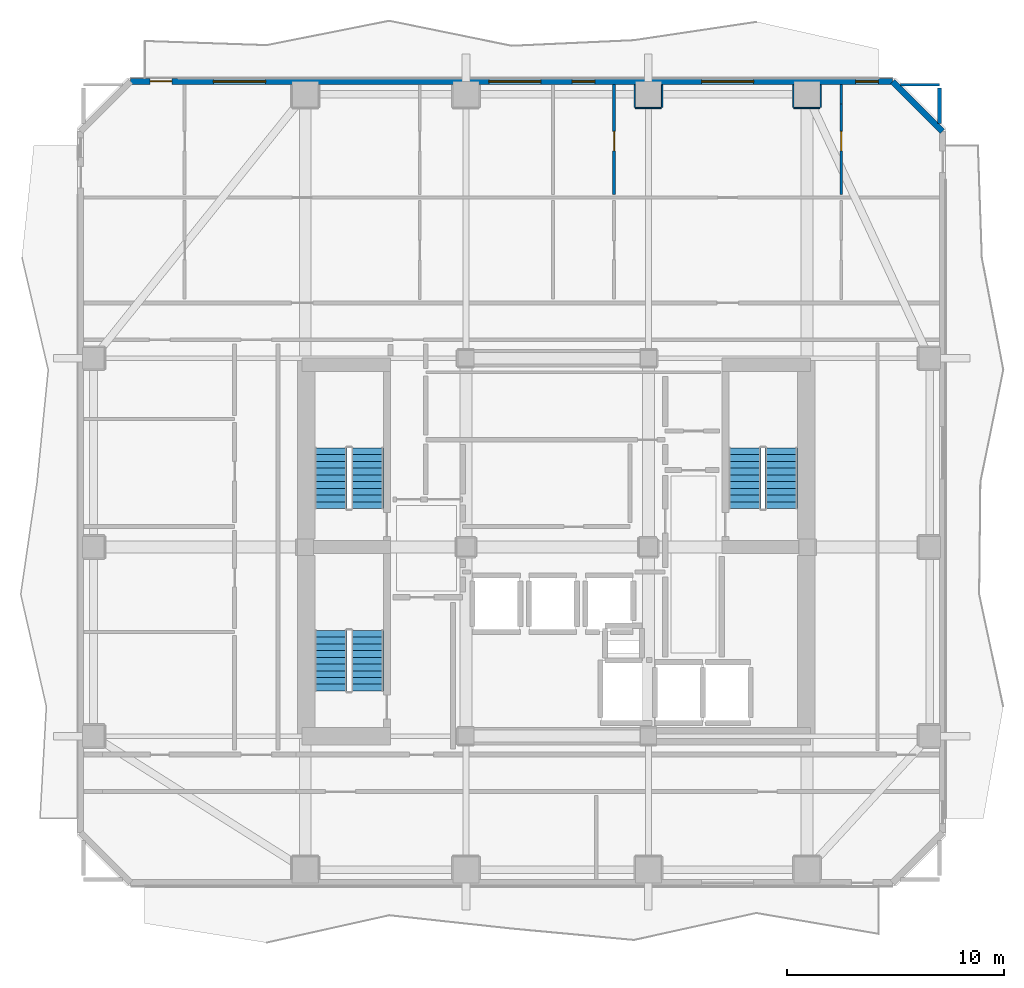
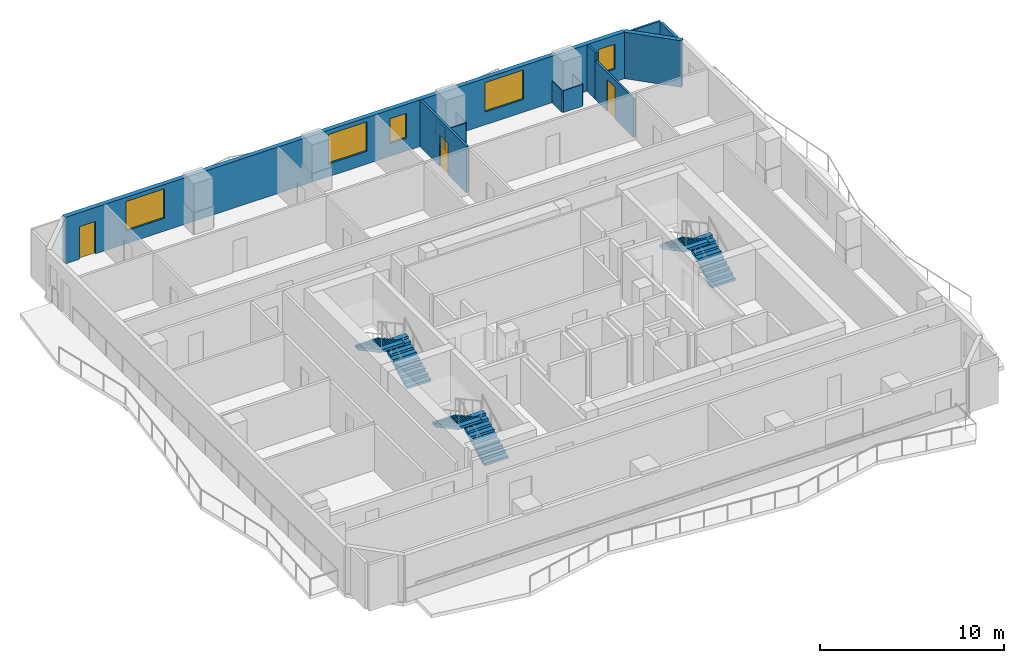
# One storey, part 6 of 10: 13 walls, 6 stair flights, 5 windows, 3 doors, 8 openings, 3 elements without a shape of their own.
"""IFC4 building model written with IfcOpenShell, lengths in metres."""

from ifc_helpers import new_model, si_unit, direction, frame, frame_2d, origin, place, context, subcontext, project, spatial, polyline, rectangle, outline, extrude, material, layer, layer_set, type_object, element, fill, aggregate, save


model = new_model("IFC4")

# Units and contexts
model_context = context("Model", 3, precision=1e-05, world=origin(), true_north=direction((0.0, 1.0)))
body_context = subcontext(model_context, "Body", "Model", "MODEL_VIEW")
ifc_project = project(units=[si_unit("LENGTHUNIT", "METRE"), si_unit("AREAUNIT", "SQUARE_METRE"), si_unit("VOLUMEUNIT", "CUBIC_METRE"), si_unit("PLANEANGLEUNIT", "RADIAN"), si_unit("MASSUNIT", "GRAM", prefix="KILO")], contexts=[model_context])

# Site, building, storey
site_placement = place(None, origin())
site = spatial("IfcSite", under=ifc_project, at=site_placement, CompositionType="ELEMENT")
building_placement = place(site_placement, origin())
building = spatial("IfcBuilding", under=site, at=building_placement, Name="Solanera Arch Residences", CompositionType="ELEMENT")
storey_placement = place(building_placement, frame((0.0, 0.0, 176.8798828125)))
storey = spatial("IfcBuildingStorey", under=building, at=storey_placement, Name="L51", CompositionType="ELEMENT", Elevation=176.8798828125)

# Walls
ifc_material_1 = material(Name="Fire-Rated Gypsum Stud Partition", Category="gypsum")
ifc_layer_1 = layer(ifc_material_1, 0.06005859375)
ifc_layer_set_1 = layer_set([ifc_layer_1], Name="Fire-Rated Gypsum Stud Partition")
wall_type_1 = type_object("IfcWallType", Name="Column Acoustic Furring Wall 60", PredefinedType="PARTITIONING", material=ifc_layer_set_1)
wall_1_placement = place(storey_placement, frame((28.60009765625, 50.91796875, 0.0), z_axis=(0.0, 0.0, 1.0), x_axis=(1.0, 0.0, 0.0)))
element("IfcWall", 1, at=wall_1_placement, inside=storey, type_object=wall_type_1, Name="L51 Column Furring 14S", PredefinedType="PARTITIONING", context=body_context, shape_type="SweptSolid", body=[
    extrude(rectangle(XDim=1.199951171875, YDim=0.06005859375, at=frame_2d((0.60009765625, 0.0))), origin(), (0.0, 0.0, 1.0), 1.4501953125),
])
for number, where, z_axis, x_axis, name in (
    (2, (28.568115234375, 50.949951171875, 0.0), (0.0, 0.0, 1.0), (0.0, 1.0, 0.0), "L51 Column Furring 14W"),
    (3, (29.83203125, 50.949951171875, 0.0), (0.0, 0.0, 1.0), (0.0, 1.0, 0.0), "L51 Column Furring 14E"),
):
    element("IfcWall", number, at=place(storey_placement, frame(where, z_axis=z_axis, x_axis=x_axis)), inside=storey, type_object=wall_type_1, Name=name, PredefinedType="PARTITIONING", context=body_context, shape_type="SweptSolid", body=[
        extrude(rectangle(XDim=1.0400390625, YDim=0.06005859375, at=frame_2d((0.52001953125, 0.0))), origin(), (0.0, 0.0, 1.0), 1.4501953125),
    ])
wall_2_placement = place(storey_placement, frame((35.89990234375, 50.91796875, 0.0), z_axis=(0.0, 0.0, 1.0), x_axis=(1.0, 0.0, 0.0)))
element("IfcWall", 4, at=wall_2_placement, inside=storey, type_object=wall_type_1, Name="L51 Column Furring 16S", PredefinedType="PARTITIONING", context=body_context, shape_type="SweptSolid", body=[
    extrude(rectangle(XDim=1.2001953125, YDim=0.06005859375, at=frame_2d((0.60009765625, 0.0))), origin(), (0.0, 0.0, 1.0), 1.4501953125),
])
for number, where, z_axis, x_axis, name in (
    (5, (35.867919921875, 50.949951171875, 0.0), (0.0, 0.0, 1.0), (0.0, 1.0, 0.0), "L51 Column Furring 16W"),
    (6, (37.132080078125, 50.949951171875, 0.0), (0.0, 0.0, 1.0), (0.0, 1.0, 0.0), "L51 Column Furring 16E"),
):
    element("IfcWall", number, at=place(storey_placement, frame(where, z_axis=z_axis, x_axis=x_axis)), inside=storey, type_object=wall_type_1, Name=name, PredefinedType="PARTITIONING", context=body_context, shape_type="SweptSolid", body=[
        extrude(rectangle(XDim=1.0400390625, YDim=0.06005859375, at=frame_2d((0.52001953125, 0.0))), origin(), (0.0, 0.0, 1.0), 1.4501953125),
    ])
ifc_material_2 = material(Name="Autoclaved Aerated Concrete Blockwork", Category="masonry")
ifc_layer_2 = layer(ifc_material_2, 0.179931640625)
ifc_layer_set_2 = layer_set([ifc_layer_2], Name="Autoclaved Aerated Concrete Blockwork")
wall_type_2 = type_object("IfcWallType", Name="Corridor Fire Partition 180", PredefinedType="PARTITIONING", material=ifc_layer_set_2)
wall_3_placement = place(storey_placement, frame((42.60009765625, 50.205078125, 0.0), z_axis=(0.0, 0.0, 1.0), x_axis=(0.0, 1.0, 0.0)))
element("IfcWall", 7, at=wall_3_placement, inside=storey, type_object=wall_type_2, Name="L51 Interior Partition V12 2", PredefinedType="PARTITIONING", context=body_context, shape_type="SweptSolid", body=[
    extrude(rectangle(XDim=1.636962890625, YDim=0.179931640625, at=frame_2d((0.818359375, 0.0))), origin(), (0.0, 0.0, 1.0), 3.080078125),
])

# Wall, openings, door, windows
ifc_material_3 = material(Name="Precast Concrete C35/45", Category="concrete")
ifc_layer_3 = layer(ifc_material_3, 0.280029296875)
ifc_layer_set_3 = layer_set([ifc_layer_3], Name="Precast Concrete C35/45")
wall_type_3 = type_object("IfcWallType", Name="Exterior Wall Precast Masonry-Frame 280", PredefinedType="STANDARD", material=ifc_layer_set_3)
wall_4_placement = place(storey_placement, frame((5.35498046875, 52.14501953125, 0.0), z_axis=(0.0, 0.0, 1.0), x_axis=(1.0, 0.0, 0.0)))
wall_4 = element("IfcWall", 8, at=wall_4_placement, inside=storey, type_object=wall_type_3, Name="L51 Tower Exterior Precast Masonry-Frame Wall N", PredefinedType="STANDARD", context=body_context, shape_type="SweptSolid", body=[
    extrude(rectangle(XDim=35.090087890625, YDim=0.280029296875, at=frame_2d((17.544921875, 0.0))), origin(), (0.0, 0.0, 1.0), 3.080078125),
])
opening_1_placement = place(wall_4_placement, frame((0.904052734375, 0.0, 0.0)))
opening_1 = element("IfcOpeningElement", 9, at=opening_1_placement, cuts=wall_4, Name="Opening DB-01", PredefinedType="OPENING", context=body_context, shape_type="SweptSolid", body=[
    extrude(rectangle(XDim=1.0, YDim=2.14990234375, at=frame_2d((0.5, 1.074951171875))), frame((0.0, 0.14990234375, 0.0), z_axis=(0.0, -1.0, 0.0), x_axis=(1.0, 0.0, 0.0)), (0.0, 0.0, 1.0), 0.3),
])
opening_2_placement = place(wall_4_placement, frame((3.81689453125, 0.0, 0.85009765625)))
opening_2 = element("IfcOpeningElement", 10, at=opening_2_placement, cuts=wall_4, Name="Opening W-05", PredefinedType="OPENING", context=body_context, shape_type="SweptSolid", body=[
    extrude(rectangle(XDim=2.39990234375, YDim=1.949951171875, at=frame_2d((1.199951171875, 0.97509765625))), frame((0.0, 0.14990234375, 0.0), z_axis=(0.0, -1.0, 0.0), x_axis=(1.0, 0.0, 0.0)), (0.0, 0.0, 1.0), 0.3),
])
opening_3_placement = place(wall_4_placement, frame((16.4951171875, 0.0, 0.85009765625)))
opening_3 = element("IfcOpeningElement", 11, at=opening_3_placement, cuts=wall_4, Name="Opening W-05", PredefinedType="OPENING", context=body_context, shape_type="SweptSolid", body=[
    extrude(rectangle(XDim=2.39990234375, YDim=1.949951171875, at=frame_2d((1.199951171875, 0.97509765625))), frame((0.0, 0.14990234375, 0.0), z_axis=(0.0, -1.0, 0.0), x_axis=(1.0, 0.0, 0.0)), (0.0, 0.0, 1.0), 0.3),
])
opening_4_placement = place(wall_4_placement, frame((26.294921875, 0.0, 0.85009765625)))
opening_4 = element("IfcOpeningElement", 12, at=opening_4_placement, cuts=wall_4, Name="Opening W-05", PredefinedType="OPENING", context=body_context, shape_type="SweptSolid", body=[
    extrude(rectangle(XDim=2.39990234375, YDim=1.949951171875, at=frame_2d((1.199951171875, 0.97509765625))), frame((0.0, 0.14990234375, 0.0), z_axis=(0.0, -1.0, 0.0), x_axis=(1.0, 0.0, 0.0)), (0.0, 0.0, 1.0), 0.3),
])
opening_5_placement = place(wall_4_placement, frame((20.330078125, 0.0, 0.85009765625)))
opening_5 = element("IfcOpeningElement", 13, at=opening_5_placement, cuts=wall_4, Name="Opening W-07", PredefinedType="OPENING", context=body_context, shape_type="SweptSolid", body=[
    extrude(rectangle(XDim=1.050048828125, YDim=1.64990234375, at=frame_2d((0.52490234375, 0.824951171875))), frame((0.0, 0.14990234375, 0.0), z_axis=(0.0, -1.0, 0.0), x_axis=(1.0, 0.0, 0.0)), (0.0, 0.0, 1.0), 0.3),
])
opening_6_placement = place(wall_4_placement, frame((33.386962890625, 0.0, 0.85009765625)))
opening_6 = element("IfcOpeningElement", 14, at=opening_6_placement, cuts=wall_4, Name="Opening W-07", PredefinedType="OPENING", context=body_context, shape_type="SweptSolid", body=[
    extrude(rectangle(XDim=1.050048828125, YDim=1.64990234375, at=frame_2d((0.52490234375, 0.824951171875))), frame((0.0, 0.14990234375, 0.0), z_axis=(0.0, -1.0, 0.0), x_axis=(1.0, 0.0, 0.0)), (0.0, 0.0, 1.0), 0.3),
])
ifc_material_4 = material(Name="Anodised Aluminium Alloy 6063-T6", Category="aluminium")
door_type_1 = type_object("IfcDoorType", Name="Glazed Balcony Swing Door DB-01", OperationType="NOTDEFINED", PredefinedType="DOOR", material=ifc_material_4)
door_1_placement = place(opening_1_placement, origin())
door_1 = element("IfcDoor", 15, at=door_1_placement, inside=storey, type_object=door_type_1, Name="DR-L51-OUT-02", OperationType="SINGLE_SWING_RIGHT", OverallHeight=2.14990234375, OverallWidth=1.0, PredefinedType="DOOR", context=body_context, shape_type="SweptSolid", body=[
    extrude(rectangle(XDim=1.0, YDim=2.14990234375, at=frame_2d((0.5, 1.074951171875))), frame((0.0, 0.02490234375, 0.0), z_axis=(0.0, -1.0, 0.0), x_axis=(1.0, 0.0, 0.0)), (0.0, 0.0, 1.0), 0.050048828125),
])
fill(opening_1, door_1)
ifc_material_5 = material(Name="Double Glazed Low-E Laminated Glass", Category="glass")
window_type_1 = type_object("IfcWindowType", Name="Punched Window W-05", PartitioningType="TRIPLE_PANEL_VERTICAL", PredefinedType="WINDOW", material=ifc_material_5)
window_1_placement = place(opening_2_placement, origin())
window_1 = element("IfcWindow", 16, at=window_1_placement, inside=storey, type_object=window_type_1, Name="L51 5101-LIV Punched Window", OverallHeight=1.949951171875, OverallWidth=2.39990234375, PartitioningType="SINGLE_PANEL", PredefinedType="WINDOW", context=body_context, shape_type="SweptSolid", body=[
    extrude(rectangle(XDim=2.39990234375, YDim=1.949951171875, at=frame_2d((1.199951171875, 0.97509765625))), frame((0.0, 0.030029296875, 0.0), z_axis=(0.0, -1.0, 0.0), x_axis=(1.0, 0.0, 0.0)), (0.0, 0.0, 1.0), 0.06005859375),
])
fill(opening_2, window_1)
window_2_placement = place(opening_3_placement, origin())
window_2 = element("IfcWindow", 17, at=window_2_placement, inside=storey, type_object=window_type_1, Name="L51 5101-BR2 Punched Window", OverallHeight=1.949951171875, OverallWidth=2.39990234375, PartitioningType="SINGLE_PANEL", PredefinedType="WINDOW", context=body_context, shape_type="SweptSolid", body=[
    extrude(rectangle(XDim=2.39990234375, YDim=1.949951171875, at=frame_2d((1.199951171875, 0.97509765625))), frame((0.0, 0.030029296875, 0.0), z_axis=(0.0, -1.0, 0.0), x_axis=(1.0, 0.0, 0.0)), (0.0, 0.0, 1.0), 0.06005859375),
])
fill(opening_3, window_2)
window_3_placement = place(opening_4_placement, origin())
window_3 = element("IfcWindow", 18, at=window_3_placement, inside=storey, type_object=window_type_1, Name="L51 5102-LIV Punched Window", OverallHeight=1.949951171875, OverallWidth=2.39990234375, PartitioningType="SINGLE_PANEL", PredefinedType="WINDOW", context=body_context, shape_type="SweptSolid", body=[
    extrude(rectangle(XDim=2.39990234375, YDim=1.949951171875, at=frame_2d((1.199951171875, 0.97509765625))), frame((0.0, 0.030029296875, 0.0), z_axis=(0.0, -1.0, 0.0), x_axis=(1.0, 0.0, 0.0)), (0.0, 0.0, 1.0), 0.06005859375),
])
fill(opening_4, window_3)
ifc_material_6 = material(Name="Double Glazed Low-E Laminated Glass", Category="glass")
window_type_2 = type_object("IfcWindowType", Name="Punched Window W-07", PartitioningType="SINGLE_PANEL", PredefinedType="WINDOW", material=ifc_material_6)
window_4_placement = place(opening_5_placement, origin())
window_4 = element("IfcWindow", 19, at=window_4_placement, inside=storey, type_object=window_type_2, Name="L51 5102-BR1 Punched Window", OverallHeight=1.64990234375, OverallWidth=1.050048828125, PartitioningType="SINGLE_PANEL", PredefinedType="WINDOW", context=body_context, shape_type="SweptSolid", body=[
    extrude(rectangle(XDim=1.050048828125, YDim=1.64990234375, at=frame_2d((0.52490234375, 0.824951171875))), frame((0.0, 0.030029296875, 0.0), z_axis=(0.0, -1.0, 0.0), x_axis=(1.0, 0.0, 0.0)), (0.0, 0.0, 1.0), 0.06005859375),
])
fill(opening_5, window_4)
window_5_placement = place(opening_6_placement, origin())
window_5 = element("IfcWindow", 20, at=window_5_placement, inside=storey, type_object=window_type_2, Name="L51 5102-BR2 Punched Window", OverallHeight=1.64990234375, OverallWidth=1.050048828125, PartitioningType="SINGLE_PANEL", PredefinedType="WINDOW", context=body_context, shape_type="SweptSolid", body=[
    extrude(rectangle(XDim=1.050048828125, YDim=1.64990234375, at=frame_2d((0.52490234375, 0.824951171875))), frame((0.0, 0.030029296875, 0.0), z_axis=(0.0, -1.0, 0.0), x_axis=(1.0, 0.0, 0.0)), (0.0, 0.0, 1.0), 0.06005859375),
])
fill(opening_6, window_5)

# Walls
wall_5_placement = place(storey_placement, frame((40.445068359375, 52.14501953125, 0.0), z_axis=(0.0, 0.0, 1.0), x_axis=(0.707106781187, -0.707106781187, 0.0)))
element("IfcWall", 21, at=wall_5_placement, inside=storey, type_object=wall_type_3, Name="L51 Tower Exterior Precast Masonry-Frame Wall CH3", PredefinedType="STANDARD", context=body_context, shape_type="SweptSolid", body=[
    extrude(rectangle(XDim=3.252685546875, YDim=0.280029296875, at=frame_2d((1.62646484375, 0.0))), origin(), (0.0, 0.0, 1.0), 3.080078125),
])
ifc_material_7 = material(Name="Fire-Rated Gypsum Stud Partition", Category="gypsum")
ifc_layer_4 = layer(ifc_material_7, 0.1201171875)
ifc_layer_set_4 = layer_set([ifc_layer_4], Name="Fire-Rated Gypsum Stud Partition")
wall_type_4 = type_object("IfcWallType", Name="Unit Drywall Partition 120", PredefinedType="PARTITIONING", material=ifc_layer_set_4)
wall_6_placement = place(storey_placement, frame((40.804931640625, 52.0, 0.0), z_axis=(0.0, 0.0, 1.0), x_axis=(1.0, 0.0, 0.0)))
element("IfcWall", 22, at=wall_6_placement, inside=storey, type_object=wall_type_4, Name="L51 Interior Partition H19 2", PredefinedType="PARTITIONING", context=body_context, shape_type="SweptSolid", body=[
    extrude(rectangle(XDim=1.795166015625, YDim=0.1201171875, at=frame_2d((0.8974609375, 0.0))), origin(), (0.0, 0.0, 1.0), 3.080078125),
])

# Wall, opening, door
wall_7_placement = place(storey_placement, frame((38.080078125, 46.93798828125, 0.0), z_axis=(0.0, 0.0, 1.0), x_axis=(0.0, 1.0, 0.0)))
wall_7 = element("IfcWall", 23, at=wall_7_placement, inside=storey, type_object=wall_type_4, Name="L51 Interior Partition V17 2", PredefinedType="PARTITIONING", context=body_context, shape_type="SweptSolid", body=[
    extrude(rectangle(XDim=4.162109375, YDim=0.1201171875, at=frame_2d((2.0810546875, 0.0))), origin(), (0.0, 0.0, 1.0), 2.565185546875),
])
opening_7_placement = place(wall_7_placement, frame((2.011962890625, 0.0, 0.0)))
opening_7 = element("IfcOpeningElement", 24, at=opening_7_placement, cuts=wall_7, Name="Opening DI-03", PredefinedType="OPENING", context=body_context, shape_type="SweptSolid", body=[
    extrude(rectangle(XDim=0.89990234375, YDim=2.10009765625, at=frame_2d((0.449951171875, 1.050048828125))), frame((0.0, 0.070068359375, 0.0), z_axis=(0.0, -1.0, 0.0), x_axis=(1.0, 0.0, 0.0)), (0.0, 0.0, 1.0), 0.1401),
])
ifc_material_8 = material(Name="Fire-Rated Architectural Hardwood", Category="wood")
door_type_2 = type_object("IfcDoorType", Name="Bedroom Swing Door DI-03", OperationType="NOTDEFINED", PredefinedType="DOOR", material=ifc_material_8)
door_2_placement = place(opening_7_placement, origin())
door_2 = element("IfcDoor", 25, at=door_2_placement, inside=storey, type_object=door_type_2, Name="DR-L51-IN-034", OperationType="SINGLE_SWING_RIGHT", OverallHeight=2.10009765625, OverallWidth=0.89990234375, PredefinedType="DOOR", context=body_context, shape_type="SweptSolid", body=[
    extrude(rectangle(XDim=0.89990234375, YDim=2.10009765625, at=frame_2d((0.449951171875, 1.050048828125))), frame((0.0, 0.02490234375, 0.0), z_axis=(0.0, -1.0, 0.0), x_axis=(1.0, 0.0, 0.0)), (0.0, 0.0, 1.0), 0.050048828125),
])
fill(opening_7, door_2)

# Wall
wall_8_placement = place(storey_placement, frame((38.080078125, 51.10009765625, 0.0), z_axis=(0.0, 0.0, 1.0), x_axis=(0.0, 1.0, 0.0)))
element("IfcWall", 26, at=wall_8_placement, inside=storey, type_object=wall_type_4, Name="L51 Interior Partition V17 3", PredefinedType="PARTITIONING", context=body_context, shape_type="SweptSolid", body=[
    extrude(rectangle(XDim=0.892822265625, YDim=0.1201171875, at=frame_2d((0.4462890625, 0.0))), origin(), (0.0, 0.0, 1.0), 3.080078125),
])

# Wall, opening, door
ifc_material_9 = material(Name="Autoclaved Aerated Concrete Blockwork", Category="masonry")
ifc_layer_5 = layer(ifc_material_9, 0.139892578125)
ifc_layer_set_5 = layer_set([ifc_layer_5], Name="Autoclaved Aerated Concrete Blockwork")
wall_type_5 = type_object("IfcWallType", Name="Wet-Room Partition 140", PredefinedType="PARTITIONING", material=ifc_layer_set_5)
wall_9_placement = place(storey_placement, frame((27.6201171875, 46.947998046875, 0.0), z_axis=(0.0, 0.0, 1.0), x_axis=(0.0, 1.0, 0.0)))
wall_9 = element("IfcWall", 27, at=wall_9_placement, inside=storey, type_object=wall_type_5, Name="L51 Interior Partition V15 2", PredefinedType="PARTITIONING", context=body_context, shape_type="SweptSolid", body=[
    extrude(rectangle(XDim=5.044921875, YDim=0.139892578125, at=frame_2d((2.5224609375, 0.0))), origin(), (0.0, 0.0, 1.0), 3.080078125),
])
opening_8_placement = place(wall_9_placement, frame((2.001953125, 0.0, 0.0)))
opening_8 = element("IfcOpeningElement", 28, at=opening_8_placement, cuts=wall_9, Name="Opening DI-03", PredefinedType="OPENING", context=body_context, shape_type="SweptSolid", body=[
    extrude(rectangle(XDim=0.89990234375, YDim=2.10009765625, at=frame_2d((0.449951171875, 1.050048828125))), frame((0.0, 0.079833984375, 0.0), z_axis=(0.0, -1.0, 0.0), x_axis=(1.0, 0.0, 0.0)), (0.0, 0.0, 1.0), 0.1599),
])
door_3_placement = place(opening_8_placement, origin())
door_3 = element("IfcDoor", 29, at=door_3_placement, inside=storey, type_object=door_type_2, Name="DR-L51-IN-032", OperationType="SINGLE_SWING_RIGHT", OverallHeight=2.10009765625, OverallWidth=0.89990234375, PredefinedType="DOOR", context=body_context, shape_type="SweptSolid", body=[
    extrude(rectangle(XDim=0.89990234375, YDim=2.10009765625, at=frame_2d((0.449951171875, 1.050048828125))), frame((0.0, 0.02490234375, 0.0), z_axis=(0.0, -1.0, 0.0), x_axis=(1.0, 0.0, 0.0)), (0.0, 0.0, 1.0), 0.050048828125),
])
fill(opening_8, door_3)

# Stair, stair flights
ifc_material_10 = material(Name="Concrete C40/50 (f'c = 45 MPa)", Category="concrete")
stair_type = type_object("IfcStairType", Name="Tower Dogleg Exit Stair 1480", PredefinedType="HALF_TURN_STAIR", material=ifc_material_10)
stair_1_placement = place(storey_placement, origin())
stair_1 = element("IfcStair", 30, at=stair_1_placement, inside=storey, type_object=stair_type, Name="L51 Tower Core Exit Stair 1", PredefinedType="HALF_TURN_STAIR")
ifc_material_11 = material(Name="Concrete C40/50 (f'c = 45 MPa)", Category="concrete")
stair_flight_type = type_object("IfcStairFlightType", Name="Tower Precast Stair Flight 1480", PredefinedType="STRAIGHT", material=ifc_material_11)
stair_flight_1_placement = place(storey_placement, frame((16.260009765625, 32.47998046875, 0.0), z_axis=(0.0, 0.0, 1.0), x_axis=(0.0, 1.0, 0.0)))
stair_flight_1 = element("IfcStairFlight", 31, at=stair_flight_1_placement, type_object=stair_flight_type, Name="ST-T1 flight 1", NumberOfRisers=10, NumberOfTreads=9, PredefinedType="STRAIGHT", RiserHeight=0.166, TreadLength=0.31, context=body_context, shape_type="SweptSolid", body=[
    extrude(outline(polyline([(0.0, 0.0), (0.0, 0.166015625), (0.31005859375, 0.166015625), (0.31005859375, 0.33203125), (0.6201171875, 0.33203125), (0.6201171875, 0.498046875), (0.929931640625, 0.498046875), (0.929931640625, 0.6640625), (1.239990234375, 0.6640625), (1.239990234375, 0.830078125), (1.550048828125, 0.830078125), (1.550048828125, 0.99609375), (1.860107421875, 0.99609375), (1.860107421875, 1.162109375), (2.169921875, 1.162109375), (2.169921875, 1.327880859375), (2.47998046875, 1.327880859375), (2.47998046875, 1.493896484375), (2.7900390625, 1.493896484375), (2.7900390625, 1.659912109375), (2.7900390625, 1.323974609375), (0.317626953125, 0.0), (0.0, 0.0)])), frame((0.0, 0.739990234375, 0.0), z_axis=(0.0, -1.0, 0.0), x_axis=(1.0, 0.0, 0.0)), (0.0, 0.0, 1.0), 1.47998046875),
])
stair_flight_2_placement = place(storey_placement, frame((14.580078125, 35.27001953125, 1.66015625), z_axis=(0.0, 0.0, 1.0), x_axis=(0.0, -1.0, 0.0)))
stair_flight_2 = element("IfcStairFlight", 32, at=stair_flight_2_placement, type_object=stair_flight_type, Name="ST-T1 flight 2", NumberOfRisers=10, NumberOfTreads=9, PredefinedType="STRAIGHT", RiserHeight=0.166, TreadLength=0.31, context=body_context, shape_type="SweptSolid", body=[
    extrude(outline(polyline([(0.0, 0.0), (0.0, 0.166015625), (0.31005859375, 0.166015625), (0.31005859375, 0.33203125), (0.6201171875, 0.33203125), (0.6201171875, 0.498046875), (0.929931640625, 0.498046875), (0.929931640625, 0.6640625), (1.239990234375, 0.6640625), (1.239990234375, 0.830078125), (1.550048828125, 0.830078125), (1.550048828125, 0.99609375), (1.860107421875, 0.99609375), (1.860107421875, 1.162109375), (2.169921875, 1.162109375), (2.169921875, 1.327880859375), (2.47998046875, 1.327880859375), (2.47998046875, 1.493896484375), (2.7900390625, 1.493896484375), (2.7900390625, 1.659912109375), (2.7900390625, 1.323974609375), (0.317626953125, 0.0), (0.0, 0.0)])), frame((0.0, 0.739990234375, 0.0), z_axis=(0.0, -1.0, 0.0), x_axis=(1.0, 0.0, 0.0)), (0.0, 0.0, 1.0), 1.47998046875),
])
aggregate(stair_1, [stair_flight_1, stair_flight_2])

stair_2_placement = place(storey_placement, origin())
stair_2 = element("IfcStair", 33, at=stair_2_placement, inside=storey, type_object=stair_type, Name="L51 Tower Core Exit Stair 2", PredefinedType="HALF_TURN_STAIR")
stair_flight_3_placement = place(storey_placement, frame((35.320068359375, 32.47998046875, 0.0), z_axis=(0.0, 0.0, 1.0), x_axis=(0.0, 1.0, 0.0)))
stair_flight_3 = element("IfcStairFlight", 34, at=stair_flight_3_placement, type_object=stair_flight_type, Name="ST-T2 flight 1", NumberOfRisers=10, NumberOfTreads=9, PredefinedType="STRAIGHT", RiserHeight=0.166, TreadLength=0.31, context=body_context, shape_type="SweptSolid", body=[
    extrude(outline(polyline([(0.0, 0.0), (0.0, 0.166015625), (0.31005859375, 0.166015625), (0.31005859375, 0.33203125), (0.6201171875, 0.33203125), (0.6201171875, 0.498046875), (0.929931640625, 0.498046875), (0.929931640625, 0.6640625), (1.239990234375, 0.6640625), (1.239990234375, 0.830078125), (1.550048828125, 0.830078125), (1.550048828125, 0.99609375), (1.860107421875, 0.99609375), (1.860107421875, 1.162109375), (2.169921875, 1.162109375), (2.169921875, 1.327880859375), (2.47998046875, 1.327880859375), (2.47998046875, 1.493896484375), (2.7900390625, 1.493896484375), (2.7900390625, 1.659912109375), (2.7900390625, 1.323974609375), (0.317626953125, 0.0), (0.0, 0.0)])), frame((0.0, 0.739990234375, 0.0), z_axis=(0.0, -1.0, 0.0), x_axis=(1.0, 0.0, 0.0)), (0.0, 0.0, 1.0), 1.47998046875),
])
stair_flight_4_placement = place(storey_placement, frame((33.639892578125, 35.27001953125, 1.66015625), z_axis=(0.0, 0.0, 1.0), x_axis=(0.0, -1.0, 0.0)))
stair_flight_4 = element("IfcStairFlight", 35, at=stair_flight_4_placement, type_object=stair_flight_type, Name="ST-T2 flight 2", NumberOfRisers=10, NumberOfTreads=9, PredefinedType="STRAIGHT", RiserHeight=0.166, TreadLength=0.31, context=body_context, shape_type="SweptSolid", body=[
    extrude(outline(polyline([(0.0, 0.0), (0.0, 0.166015625), (0.31005859375, 0.166015625), (0.31005859375, 0.33203125), (0.6201171875, 0.33203125), (0.6201171875, 0.498046875), (0.929931640625, 0.498046875), (0.929931640625, 0.6640625), (1.239990234375, 0.6640625), (1.239990234375, 0.830078125), (1.550048828125, 0.830078125), (1.550048828125, 0.99609375), (1.860107421875, 0.99609375), (1.860107421875, 1.162109375), (2.169921875, 1.162109375), (2.169921875, 1.327880859375), (2.47998046875, 1.327880859375), (2.47998046875, 1.493896484375), (2.7900390625, 1.493896484375), (2.7900390625, 1.659912109375), (2.7900390625, 1.323974609375), (0.317626953125, 0.0), (0.0, 0.0)])), frame((0.0, 0.739990234375, 0.0), z_axis=(0.0, -1.0, 0.0), x_axis=(1.0, 0.0, 0.0)), (0.0, 0.0, 1.0), 1.47998046875),
])
aggregate(stair_2, [stair_flight_3, stair_flight_4])

stair_3_placement = place(storey_placement, origin())
stair_3 = element("IfcStair", 36, at=stair_3_placement, inside=storey, type_object=stair_type, Name="L51 Tower Core Exit Stair 3", PredefinedType="HALF_TURN_STAIR")
stair_flight_5_placement = place(storey_placement, frame((16.260009765625, 24.080078125, 0.0), z_axis=(0.0, 0.0, 1.0), x_axis=(0.0, 1.0, 0.0)))
stair_flight_5 = element("IfcStairFlight", 37, at=stair_flight_5_placement, type_object=stair_flight_type, Name="ST-T3 flight 1", NumberOfRisers=10, NumberOfTreads=9, PredefinedType="STRAIGHT", RiserHeight=0.166, TreadLength=0.31, context=body_context, shape_type="SweptSolid", body=[
    extrude(outline(polyline([(0.0, 0.0), (0.0, 0.166015625), (0.31005859375, 0.166015625), (0.31005859375, 0.33203125), (0.6201171875, 0.33203125), (0.6201171875, 0.498046875), (0.929931640625, 0.498046875), (0.929931640625, 0.6640625), (1.239990234375, 0.6640625), (1.239990234375, 0.830078125), (1.550048828125, 0.830078125), (1.550048828125, 0.99609375), (1.860107421875, 0.99609375), (1.860107421875, 1.162109375), (2.169921875, 1.162109375), (2.169921875, 1.327880859375), (2.47998046875, 1.327880859375), (2.47998046875, 1.493896484375), (2.7900390625, 1.493896484375), (2.7900390625, 1.659912109375), (2.7900390625, 1.323974609375), (0.317626953125, 0.0), (0.0, 0.0)])), frame((0.0, 0.739990234375, 0.0), z_axis=(0.0, -1.0, 0.0), x_axis=(1.0, 0.0, 0.0)), (0.0, 0.0, 1.0), 1.47998046875),
])
stair_flight_6_placement = place(storey_placement, frame((14.580078125, 26.8701171875, 1.66015625), z_axis=(0.0, 0.0, 1.0), x_axis=(0.0, -1.0, 0.0)))
stair_flight_6 = element("IfcStairFlight", 38, at=stair_flight_6_placement, type_object=stair_flight_type, Name="ST-T3 flight 2", NumberOfRisers=10, NumberOfTreads=9, PredefinedType="STRAIGHT", RiserHeight=0.166, TreadLength=0.31, context=body_context, shape_type="SweptSolid", body=[
    extrude(outline(polyline([(0.0, 0.0), (0.0, 0.166015625), (0.31005859375, 0.166015625), (0.31005859375, 0.33203125), (0.6201171875, 0.33203125), (0.6201171875, 0.498046875), (0.929931640625, 0.498046875), (0.929931640625, 0.6640625), (1.239990234375, 0.6640625), (1.239990234375, 0.830078125), (1.550048828125, 0.830078125), (1.550048828125, 0.99609375), (1.860107421875, 0.99609375), (1.860107421875, 1.162109375), (2.169921875, 1.162109375), (2.169921875, 1.327880859375), (2.47998046875, 1.327880859375), (2.47998046875, 1.493896484375), (2.7900390625, 1.493896484375), (2.7900390625, 1.659912109375), (2.7900390625, 1.323974609375), (0.317626953125, 0.0), (0.0, 0.0)])), frame((0.0, 0.739990234375, 0.0), z_axis=(0.0, -1.0, 0.0), x_axis=(1.0, 0.0, 0.0)), (0.0, 0.0, 1.0), 1.47998046875),
])
aggregate(stair_3, [stair_flight_5, stair_flight_6])

save(model, "model.ifc")
